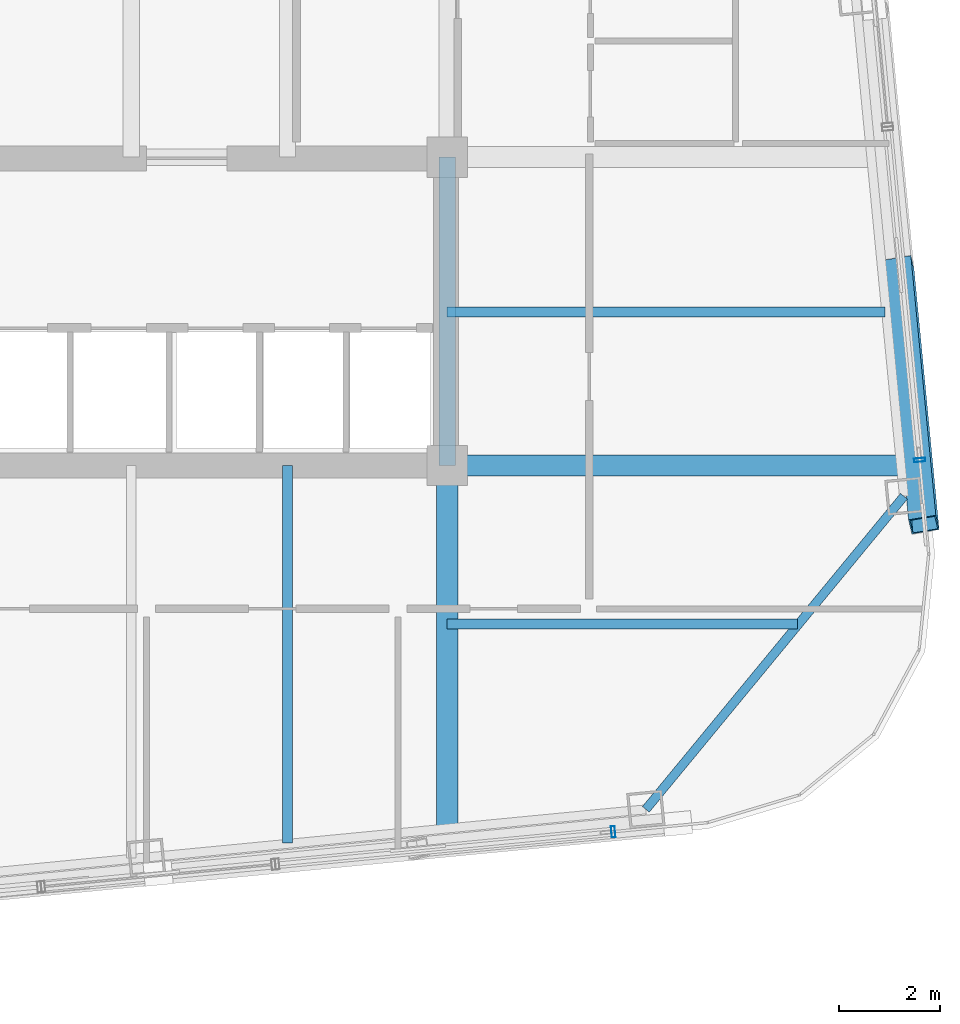
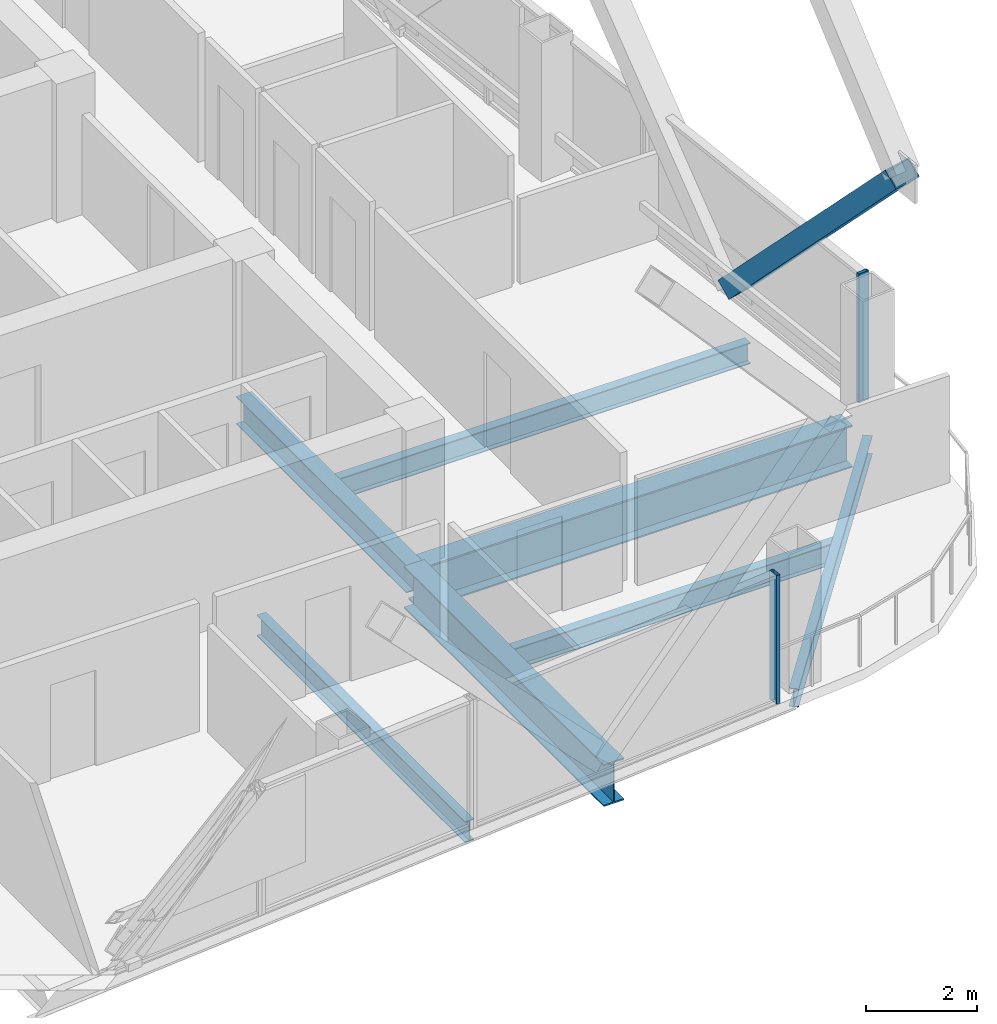
# One storey, part 13 of 34: 7 beams, 3 members, 2 elements without a shape of their own.
"""IFC4 building model written with IfcOpenShell, lengths in metres."""

from ifc_helpers import new_model, si_unit, direction, frame, origin, origin_2d, place, context, subcontext, project, spatial, hollow_rectangle, i_section, extrude, material, layer, layer_set, material_profile, profile_set, type_object, element, aggregate, save


model = new_model("IFC4")

# Units and contexts
model_context = context("Model", 3, precision=1e-05, world=origin(), true_north=direction((0.0, 1.0)))
body_context = subcontext(model_context, "Body", "Model", "MODEL_VIEW")
ifc_project = project(units=[si_unit("LENGTHUNIT", "METRE"), si_unit("AREAUNIT", "SQUARE_METRE"), si_unit("VOLUMEUNIT", "CUBIC_METRE"), si_unit("PLANEANGLEUNIT", "RADIAN"), si_unit("MASSUNIT", "GRAM", prefix="KILO")], contexts=[model_context])

# Site, building, storey
site_placement = place(None, origin())
site = spatial("IfcSite", under=ifc_project, at=site_placement, CompositionType="ELEMENT")
building_placement = place(site_placement, origin())
building = spatial("IfcBuilding", under=site, at=building_placement, Name="Qhalaya Broadcast Tower", CompositionType="ELEMENT")
storey_placement = place(building_placement, frame((0.0, 0.0, 168.35009765625)))
storey = spatial("IfcBuildingStorey", under=building, at=storey_placement, Name="L49", CompositionType="ELEMENT", Elevation=168.35009765625)

# Beams
ifc_material_1 = material(Name="Structural Steel ASTM A992 Grade 50", Category="steel")
ifc_material_profile_1 = material_profile(ifc_material_1, i_section(OverallWidth=0.19189453125, OverallDepth=0.462890625, WebThickness=0.010498046875, FlangeThickness=0.017578125, at=origin_2d()), Name="W18X60")
ifc_profile_set_1 = profile_set([ifc_material_profile_1], Name="Structural Steel ASTM A992 Grade 50")
beam_type_1 = type_object("IfcBeamType", Name="Composite Floor Joist J03", PredefinedType="JOIST", material=ifc_profile_set_1)
beam_1_placement = place(storey_placement, frame((6.199951171875, -16.24755859375, -0.45166015625), z_axis=(0.0, 1.0, 0.0), x_axis=(-1.0, 0.0, 0.0)))
element("IfcBeam", 1, at=beam_1_placement, inside=storey, type_object=beam_type_1, Name="L49 J03 L49-JNS5-1", PredefinedType="JOIST", context=body_context, shape_type="SweptSolid", body=[
    extrude(i_section(OverallWidth=0.19189453125, OverallDepth=0.462890625, WebThickness=0.010498046875, FlangeThickness=0.017578125, at=origin_2d()), origin(), (0.0, 0.0, 1.0), 7.49755859375),
])
beam_2_placement = place(storey_placement, frame((9.375, -11.89990234375, -0.45166015625), z_axis=(1.0, 0.0, 0.0), x_axis=(0.0, 1.0, 0.0)))
element("IfcBeam", 2, at=beam_2_placement, inside=storey, type_object=beam_type_1, Name="L49 J03 L49-JWE2E-1", PredefinedType="JOIST", context=body_context, shape_type="SweptSolid", body=[
    extrude(i_section(OverallWidth=0.19189453125, OverallDepth=0.462890625, WebThickness=0.010498046875, FlangeThickness=0.017578125, at=origin_2d()), origin(), (0.0, 0.0, 1.0), 6.95458984375),
])
beam_3_placement = place(storey_placement, frame((9.375, -5.699951171875, -0.45166015625), z_axis=(1.0, 0.0, 0.0), x_axis=(0.0, 1.0, 0.0)))
element("IfcBeam", 3, at=beam_3_placement, inside=storey, type_object=beam_type_1, Name="L49 J03 L49-JWE3E-1", PredefinedType="JOIST", context=body_context, shape_type="SweptSolid", body=[
    extrude(i_section(OverallWidth=0.19189453125, OverallDepth=0.462890625, WebThickness=0.010498046875, FlangeThickness=0.017578125, at=origin_2d()), origin(), (0.0, 0.0, 1.0), 8.7001953125),
])
ifc_material_profile_2 = material_profile(ifc_material_1, i_section(OverallWidth=0.323974609375, OverallDepth=0.612060546875, WebThickness=0.0126953125, FlangeThickness=0.01904296875, at=origin_2d()), Name="W24X104")
ifc_profile_set_2 = profile_set([ifc_material_profile_2], Name="Structural Steel ASTM A992 Grade 50")
beam_type_2 = type_object("IfcBeamType", Name="Core Frame Tie Beam B04", PredefinedType="BEAM", material=ifc_profile_set_2)
beam_4_placement = place(storey_placement, frame((9.375, -8.75, -0.526123046875), z_axis=(0.0, 1.0, 0.0), x_axis=(-1.0, 0.0, 0.0)))
element("IfcBeam", 4, at=beam_4_placement, inside=storey, type_object=beam_type_2, Name="L49 B04 L49-CCS2", PredefinedType="BEAM", context=body_context, shape_type="SweptSolid", body=[
    extrude(i_section(OverallWidth=0.323974609375, OverallDepth=0.612060546875, WebThickness=0.0126953125, FlangeThickness=0.01904296875, at=origin_2d()), origin(), (0.0, 0.0, 1.0), 6.125),
])

# Member
ifc_material_2 = material(Name="Structural Steel ASTM A572 Grade 50", Category="steel")
ifc_material_profile_3 = material_profile(ifc_material_2, hollow_rectangle(XDim=0.39990234375, YDim=0.550048828125, WallThickness=0.02490234375, at=origin_2d()), Name="BOX 400x550x25")
ifc_profile_set_3 = profile_set([ifc_material_profile_3], Name="Structural Steel ASTM A572 Grade 50")
member_type_1 = type_object("IfcMemberType", Name="Exoskeleton Diamond Diagonal Mid-High EX3", PredefinedType="BRACE", material=ifc_profile_set_3)
member_1_placement = place(storey_placement, frame((18.346923828125, -4.76708984375, 0.35986328125), z_axis=(0.066502760768, -0.690615647814, 0.72015790616), x_axis=(-0.164114880845, 0.704354882738, 0.690616033009)))
element("IfcMember", 5, at=member_1_placement, inside=storey, type_object=member_type_1, Name="B4 Exoskeleton Diamond Brace E1-D1", PredefinedType="BRACE", context=body_context, shape_type="SweptSolid", body=[
    extrude(hollow_rectangle(XDim=0.39990234375, YDim=0.550048828125, WallThickness=0.02490234375, at=origin_2d()), origin(), (0.0, 0.0, 1.0), 7.470703125),
])

# Beams
ifc_material_profile_4 = material_profile(ifc_material_1, i_section(OverallWidth=0.4189453125, OverallDepth=0.927001953125, WebThickness=0.019287109375, FlangeThickness=0.031982421875, at=origin_2d()), Name="W36X231")
ifc_profile_set_4 = profile_set([ifc_material_profile_4], Name="Structural Steel ASTM A992 Grade 50")
beam_type_3 = type_object("IfcBeamType", Name="Mid Block Primary Girder PG3", PredefinedType="USERDEFINED", material=ifc_profile_set_4)
beam_5_placement = place(storey_placement, frame((9.375, -15.94189453125, -0.68359375), z_axis=(0.0, 1.0, 0.0), x_axis=(-1.0, 0.0, 0.0)))
element("IfcBeam", 6, at=beam_5_placement, inside=storey, type_object=beam_type_3, Name="L49 PG3 L49-PGXS2-1", ObjectType="GIRDER", PredefinedType="USERDEFINED", context=body_context, shape_type="SweptSolid", body=[
    extrude(i_section(OverallWidth=0.4189453125, OverallDepth=0.927001953125, WebThickness=0.019287109375, FlangeThickness=0.031982421875, at=origin_2d()), origin(), (0.0, 0.0, 1.0), 7.19189453125),
])
beam_6_placement = place(storey_placement, frame((9.375, -8.75, -0.68359375), z_axis=(1.0, 0.0, 0.0), x_axis=(0.0, 1.0, 0.0)))
element("IfcBeam", 7, at=beam_6_placement, inside=storey, type_object=beam_type_3, Name="L49 PG3 L49-PGYE1-1", ObjectType="GIRDER", PredefinedType="USERDEFINED", context=body_context, shape_type="SweptSolid", body=[
    extrude(i_section(OverallWidth=0.4189453125, OverallDepth=0.927001953125, WebThickness=0.019287109375, FlangeThickness=0.031982421875, at=origin_2d()), origin(), (0.0, 0.0, 1.0), 8.993896484375),
])

# Curtain wall, member
ifc_material_3 = material(Name="Fired Architectural Terracotta", Category="masonry")
ifc_layer = layer(ifc_material_3, 0.219970703125, Name="Fired Architectural Terracotta")
ifc_layer_set = layer_set([ifc_layer], Name="Fired Architectural Terracotta")
curtain_wall_type = type_object("IfcCurtainWallType", Name="Block-Cap Unitised Terracotta Spandrel Wall CW-07", PredefinedType="NOTDEFINED", material=ifc_layer_set)
curtain_wall_1_placement = place(storey_placement, origin())
curtain_wall_1 = element("IfcCurtainWall", 8, at=curtain_wall_1_placement, inside=storey, type_object=curtain_wall_type, Name="L49 Unitised Curtain Wall L49-CW-S5", PredefinedType="NOTDEFINED")
ifc_material_4 = material(Name="Anodised Aluminium 6063-T6", Category="aluminium")
ifc_material_profile_5 = material_profile(ifc_material_4, hollow_rectangle(XDim=0.074951171875, YDim=0.219970703125, WallThickness=0.00390625, at=origin_2d()), Name="ALU-MUL 75x220x4")
ifc_profile_set_5 = profile_set([ifc_material_profile_5], Name="Anodised Aluminium 6063-T6")
member_type_2 = type_object("IfcMemberType", Name="Unitised Curtain-Wall Mullion M01", PredefinedType="MULLION", material=ifc_profile_set_5)
member_2_placement = place(storey_placement, frame((12.67236328125, -16.026123046875, 0.0), z_axis=(0.0, 0.0, 1.0), x_axis=(0.99539669829, 0.095840560477, 0.0)))
member_2 = element("IfcMember", 9, at=member_2_placement, type_object=member_type_2, Name="CW-07 mullion 2", PredefinedType="MULLION", context=body_context, shape_type="SweptSolid", body=[
    extrude(hollow_rectangle(XDim=0.074951171875, YDim=0.219970703125, WallThickness=0.00390625, at=origin_2d()), origin(), (0.0, 0.0, 1.0), 2.829833984375),
])
aggregate(curtain_wall_1, [member_2])

curtain_wall_2_placement = place(storey_placement, origin())
curtain_wall_2 = element("IfcCurtainWall", 10, at=curtain_wall_2_placement, inside=storey, type_object=curtain_wall_type, Name="L49 Unitised Curtain Wall L49-CW-E1", PredefinedType="NOTDEFINED")
member_3_placement = place(storey_placement, frame((18.76025390625, -8.64111328125, 0.0), z_axis=(0.0, 0.0, 1.0), x_axis=(-0.095842362816, 0.995396524753, 0.0)))
member_3 = element("IfcMember", 11, at=member_3_placement, type_object=member_type_2, Name="CW-07 mullion 1", PredefinedType="MULLION", context=body_context, shape_type="SweptSolid", body=[
    extrude(hollow_rectangle(XDim=0.074951171875, YDim=0.219970703125, WallThickness=0.00390625, at=origin_2d()), origin(), (0.0, 0.0, 1.0), 2.829833984375),
])
aggregate(curtain_wall_2, [member_3])

# Beam
ifc_material_profile_6 = material_profile(ifc_material_1, i_section(OverallWidth=0.177978515625, OverallDepth=0.406005859375, WebThickness=0.0078125, FlangeThickness=0.0126953125, at=origin_2d()), Name="W16X40")
ifc_profile_set_6 = profile_set([ifc_material_profile_6], Name="Structural Steel ASTM A992 Grade 50")
beam_type_4 = type_object("IfcBeamType", Name="Upper Perimeter Spandrel Beam SP2", PredefinedType="SPANDREL", material=ifc_profile_set_6)
beam_7_placement = place(storey_placement, frame((13.3203125, -15.58203125, -0.423095703125), z_axis=(0.636085107008, 0.771618906354, 0.0), x_axis=(-0.771618906354, 0.636085107008, 0.0)))
element("IfcBeam", 12, at=beam_7_placement, inside=storey, type_object=beam_type_4, Name="L49 SP2 L49-SPR-04", PredefinedType="SPANDREL", context=body_context, shape_type="SweptSolid", body=[
    extrude(i_section(OverallWidth=0.177978515625, OverallDepth=0.406005859375, WebThickness=0.0078125, FlangeThickness=0.0126953125, at=origin_2d()), origin(), (0.0, 0.0, 1.0), 8.06103515625),
])

save(model, "model.ifc")
